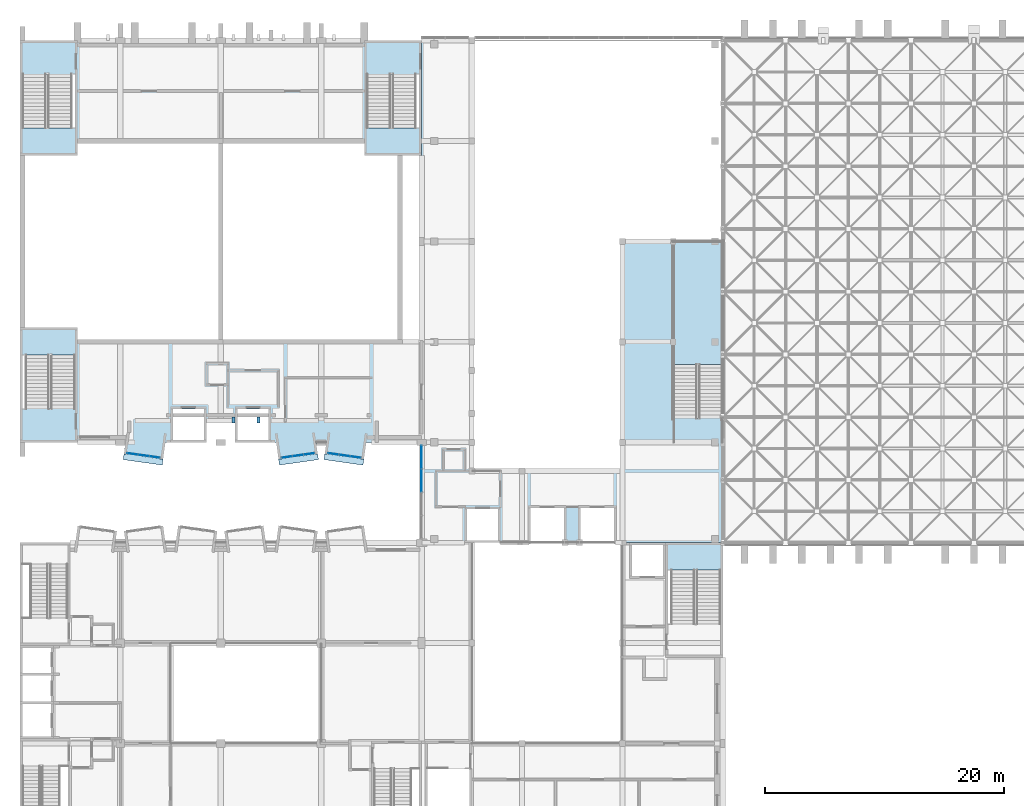
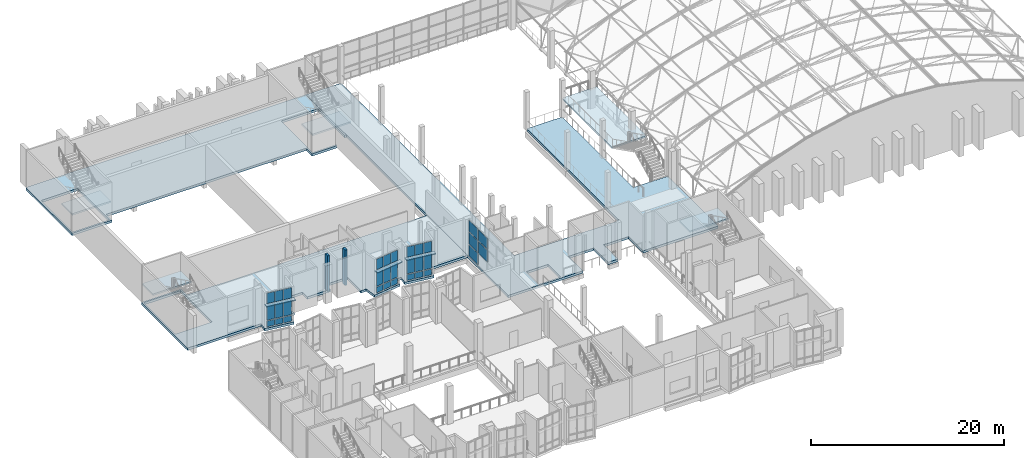
# One storey, part 52 of 100: 37 plates, 8 slabs, 9 elements without a shape of their own.
"""IFC4 building model written with IfcOpenShell, lengths in metres."""

from ifc_helpers import new_model, si_unit, direction, frame, origin, origin_2d, place, context, subcontext, project, spatial, polyline, rectangle, outline, extrude, material, layer, layer_set, type_object, element, aggregate, save


model = new_model("IFC4")

# Units and contexts
model_context = context("Model", 3, precision=1e-05, world=origin(), true_north=direction((0.0, 1.0)))
body_context = subcontext(model_context, "Body", "Model", "MODEL_VIEW")
ifc_project = project(units=[si_unit("LENGTHUNIT", "METRE"), si_unit("AREAUNIT", "SQUARE_METRE"), si_unit("VOLUMEUNIT", "CUBIC_METRE"), si_unit("PLANEANGLEUNIT", "RADIAN"), si_unit("MASSUNIT", "GRAM", prefix="KILO")], contexts=[model_context])

# Site, building, storey
site_placement = place(None, origin())
site = spatial("IfcSite", under=ifc_project, at=site_placement, CompositionType="ELEMENT")
building_placement = place(site_placement, origin())
building = spatial("IfcBuilding", under=site, at=building_placement, Name="Kiln Court Media Centre", CompositionType="ELEMENT")
storey_placement = place(building_placement, frame((0.0, 0.0, 15.0)))
storey = spatial("IfcBuildingStorey", under=building, at=storey_placement, Name="L03", CompositionType="ELEMENT", Elevation=15.0)

# Slabs
ifc_material_1 = material(Name="Concrete C30/37", Category="concrete")
ifc_layer_1 = layer(ifc_material_1, 0.300048828125)
ifc_layer_set_1 = layer_set([ifc_layer_1], Name="Concrete C30/37 floor slab 300")
slab_type_1 = type_object("IfcSlabType", Name="Concrete C30/37 floor slab 300", PredefinedType="FLOOR", material=ifc_layer_set_1)
slab_1_placement = place(storey_placement, frame((0.0, 0.0, -0.300048828125)))
element("IfcSlab", 1, at=slab_1_placement, inside=storey, type_object=slab_type_1, Name="L03-SL-1002", PredefinedType="FLOOR", context=body_context, shape_type="SweptSolid", body=[
    extrude(outline(polyline([(11.967041015625, 32.181396484375), (8.698974609375, 32.640869140625), (8.833251953125, 33.599609375), (0.0, 33.60009765625), (0.0, 43.199951171875), (4.800048828125, 43.199951171875), (4.800048828125, 42.0), (33.60009765625, 42.0), (33.60009765625, 33.60009765625), (28.966552734375, 33.599609375), (28.76708984375, 32.181640625), (25.498779296875, 32.640869140625), (25.63330078125, 33.599609375), (24.766845703125, 33.599609375), (24.901123046875, 32.640869140625), (21.6328125, 32.181640625), (21.433349609375, 33.599609375), (20.783203125, 33.599853515625), (20.783203125, 33.800048828125), (20.800048828125, 33.800048828125), (20.800048828125, 36.39990234375), (18.199951171875, 36.39990234375), (18.199951171875, 35.39990234375), (15.39990234375, 35.39990234375), (15.39990234375, 36.39990234375), (12.800048828125, 36.39990234375), (12.800048828125, 33.800048828125), (12.816650390625, 33.800048828125), (12.816650390625, 33.599853515625), (12.16650390625, 33.599609375), (11.967041015625, 32.181396484375)]), holes=[polyline([(0.199951171875, 36.43994140625), (4.60009765625, 36.43994140625), (4.60009765625, 43.0), (0.199951171875, 43.0), (0.199951171875, 36.43994140625)])]), origin(), (0.0, 0.0, 1.0), 0.300048828125),
])
slab_2_placement = place(storey_placement, frame((0.0, 0.0, -0.300048828125)))
element("IfcSlab", 2, at=slab_2_placement, inside=storey, type_object=slab_type_1, Name="L03-SL-1003", PredefinedType="FLOOR", context=body_context, shape_type="SweptSolid", body=[
    extrude(outline(polyline([(0.0, 57.60009765625), (0.0, 67.199951171875), (33.60009765625, 67.199951171875), (33.60009765625, 58.800048828125), (33.39990234375, 58.800048828125), (33.39990234375, 64.360107421875), (29.0, 64.360107421875), (29.0, 57.800048828125), (31.800048828125, 57.800048828125), (31.800048828125, 57.60009765625), (28.800048828125, 57.60009765625), (28.800048828125, 58.800048828125), (4.800048828125, 58.800048828125), (4.800048828125, 57.60009765625), (0.0, 57.60009765625)]), holes=[polyline([(0.199951171875, 57.800048828125), (4.60009765625, 57.800048828125), (4.60009765625, 64.360107421875), (0.199951171875, 64.360107421875), (0.199951171875, 57.800048828125)])]), origin(), (0.0, 0.0, 1.0), 0.300048828125),
])
slab_3_placement = place(storey_placement, frame((0.0, 0.0, -0.300048828125)))
element("IfcSlab", 3, at=slab_3_placement, inside=storey, type_object=slab_type_1, Name="L03-SL-1004", PredefinedType="FLOOR", context=body_context, shape_type="SweptSolid", body=[
    extrude(outline(polyline([(33.60009765625, 25.199951171875), (33.60009765625, 67.199951171875), (37.800048828125, 67.199951171875), (37.800048828125, 31.199951171875), (50.39990234375, 31.199951171875), (50.39990234375, 50.39990234375), (54.64990234375, 50.39990234375), (54.64990234375, 35.639892578125), (58.800048828125, 35.639892578125), (58.800048828125, 25.199951171875), (49.800048828125, 25.199951171875), (49.800048828125, 28.199951171875), (46.800048828125, 28.199951171875), (46.800048828125, 25.199951171875), (45.60009765625, 25.199951171875), (45.60009765625, 28.199951171875), (42.60009765625, 28.199951171875), (42.60009765625, 25.199951171875), (33.60009765625, 25.199951171875)]), holes=[polyline([(37.39990234375, 25.39990234375), (40.0, 25.39990234375), (40.0, 28.0), (37.39990234375, 28.0), (37.39990234375, 25.39990234375)])]), origin(), (0.0, 0.0, 1.0), 0.300048828125),
])

# Plates
ifc_material_2 = material(Name="Concrete C30/37", Category="concrete")
ifc_layer_2 = layer(ifc_material_2, 0.1201171875)
ifc_layer_set_2 = layer_set([ifc_layer_2], Name="Concrete C30/37 sunshade hood 120")
plate_type_1 = type_object("IfcPlateType", Name="Concrete C30/37 sunshade hood 120", PredefinedType="USERDEFINED", material=ifc_layer_set_2)
plate_1_placement = place(storey_placement, frame((0.0, 0.0, 3.0)))
element("IfcPlate", 4, at=plate_1_placement, inside=storey, type_object=plate_type_1, Name="SUNSHADE V4-S-L03-17", ObjectType="SUNSHADE", PredefinedType="USERDEFINED", context=body_context, shape_type="SweptSolid", body=[
    extrude(outline(polyline([(8.698974609375, 32.641357421875), (11.966796875, 32.181884765625), (11.897216796875, 31.68701171875), (8.62939453125, 32.146240234375), (8.698974609375, 32.641357421875)])), origin(), (0.0, 0.0, 1.0), 0.1201171875),
])
plate_2_placement = place(storey_placement, frame((0.0, 0.0, 3.0)))
element("IfcPlate", 5, at=plate_2_placement, inside=storey, type_object=plate_type_1, Name="SUNSHADE V4-S-L03-20", ObjectType="SUNSHADE", PredefinedType="USERDEFINED", context=body_context, shape_type="SweptSolid", body=[
    extrude(outline(polyline([(21.633056640625, 32.181884765625), (24.90087890625, 32.641357421875), (24.970458984375, 32.146240234375), (21.70263671875, 31.68701171875), (21.633056640625, 32.181884765625)])), origin(), (0.0, 0.0, 1.0), 0.1201171875),
])
plate_3_placement = place(storey_placement, frame((0.0, 0.0, 3.0)))
element("IfcPlate", 6, at=plate_3_placement, inside=storey, type_object=plate_type_1, Name="SUNSHADE V4-S-L03-21", ObjectType="SUNSHADE", PredefinedType="USERDEFINED", context=body_context, shape_type="SweptSolid", body=[
    extrude(outline(polyline([(25.4990234375, 32.641357421875), (28.766845703125, 32.181884765625), (28.697265625, 31.68701171875), (25.429443359375, 32.146240234375), (25.4990234375, 32.641357421875)])), origin(), (0.0, 0.0, 1.0), 0.1201171875),
])
ifc_material_3 = material(Name="Concrete C40/50", Category="concrete")
ifc_layer_3 = layer(ifc_material_3, 0.25)
ifc_layer_set_3 = layer_set([ifc_layer_3], Name="Concrete C40/50 shading fin 250")
plate_type_2 = type_object("IfcPlateType", Name="Concrete C40/50 shading fin 250", PredefinedType="SHEET", material=ifc_layer_set_3)
for number, where, z_axis, x_axis, name in (
    (7, (17.85009765625, 35.449951171875, 0.0), (0.0, 0.0, 1.0), (1.0, 0.0, 0.0), "V4 S fin L03"),
    (8, (19.949951171875, 35.449951171875, 0.0), (0.0, 0.0, 1.0), (1.0, 0.0, 0.0), "V4 S fin L03"),
):
    element("IfcPlate", number, at=place(storey_placement, frame(where, z_axis=z_axis, x_axis=x_axis)), inside=storey, type_object=plate_type_2, Name=name, PredefinedType="SHEET", context=body_context, shape_type="SweptSolid", body=[
        extrude(rectangle(XDim=0.25, YDim=0.5, at=origin_2d()), origin(), (0.0, 0.0, 1.0), 4.5),
    ])

# Stair, slab
ifc_material_4 = material(Name="Concrete C40/50", Category="concrete")
stair_type = type_object("IfcStairType", Name="Concrete C40/50 dog-leg stair 2000 wide, 150 riser", PredefinedType="HALF_TURN_STAIR", material=ifc_material_4)
stair_1_placement = place(storey_placement, origin())
stair_1 = element("IfcStair", 9, at=stair_1_placement, inside=storey, type_object=stair_type, Name="ST-05 L03", PredefinedType="HALF_TURN_STAIR")
ifc_material_5 = material(Name="Concrete C40/50", Category="concrete")
ifc_layer_4 = layer(ifc_material_5, 0.199951171875)
ifc_layer_set_4 = layer_set([ifc_layer_4], Name="Concrete C40/50 stair landing 200")
slab_type_2 = type_object("IfcSlabType", Name="Concrete C40/50 stair landing 200", PredefinedType="LANDING", material=ifc_layer_set_4)
slab_4_placement = place(storey_placement, frame((0.0, 0.0, 2.199951171875)))
slab_4 = element("IfcSlab", 10, at=slab_4_placement, type_object=slab_type_2, Name="L03-ST-5003 landing 5003", PredefinedType="LANDING", context=body_context, shape_type="SweptSolid", body=[
    extrude(outline(polyline([(58.719970703125, 22.89990234375), (58.719970703125, 25.1201171875), (54.080078125, 25.1201171875), (54.080078125, 22.89990234375), (58.719970703125, 22.89990234375)])), origin(), (0.0, 0.0, 1.0), 0.199951171875),
])
aggregate(stair_1, [slab_4])

stair_2_placement = place(storey_placement, origin())
stair_2 = element("IfcStair", 11, at=stair_2_placement, inside=storey, type_object=stair_type, Name="ST-06 L03", PredefinedType="HALF_TURN_STAIR")
slab_5_placement = place(storey_placement, frame((0.0, 0.0, 2.199951171875)))
slab_5 = element("IfcSlab", 12, at=slab_5_placement, type_object=slab_type_2, Name="L03-ST-5004 landing 5004", PredefinedType="LANDING", context=body_context, shape_type="SweptSolid", body=[
    extrude(outline(polyline([(4.719970703125, 40.89990234375), (4.719970703125, 43.1201171875), (0.080078125, 43.1201171875), (0.080078125, 40.89990234375), (4.719970703125, 40.89990234375)])), origin(), (0.0, 0.0, 1.0), 0.199951171875),
])
aggregate(stair_2, [slab_5])

stair_3_placement = place(storey_placement, origin())
stair_3 = element("IfcStair", 13, at=stair_3_placement, inside=storey, type_object=stair_type, Name="ST-07 L03", PredefinedType="HALF_TURN_STAIR")
slab_6_placement = place(storey_placement, frame((0.0, 0.0, 2.199951171875)))
slab_6 = element("IfcSlab", 14, at=slab_6_placement, type_object=slab_type_2, Name="L03-ST-5005 landing 5005", PredefinedType="LANDING", context=body_context, shape_type="SweptSolid", body=[
    extrude(outline(polyline([(0.080078125, 59.89990234375), (0.080078125, 57.679931640625), (4.719970703125, 57.679931640625), (4.719970703125, 59.89990234375), (0.080078125, 59.89990234375)])), origin(), (0.0, 0.0, 1.0), 0.199951171875),
])
aggregate(stair_3, [slab_6])

stair_4_placement = place(storey_placement, origin())
stair_4 = element("IfcStair", 15, at=stair_4_placement, inside=storey, type_object=stair_type, Name="ST-08 L03", PredefinedType="HALF_TURN_STAIR")
slab_7_placement = place(storey_placement, frame((0.0, 0.0, 2.199951171875)))
slab_7 = element("IfcSlab", 16, at=slab_7_placement, type_object=slab_type_2, Name="L03-ST-5006 landing 5006", PredefinedType="LANDING", context=body_context, shape_type="SweptSolid", body=[
    extrude(outline(polyline([(28.8798828125, 59.89990234375), (28.8798828125, 57.679931640625), (33.52001953125, 57.679931640625), (33.52001953125, 59.89990234375), (28.8798828125, 59.89990234375)])), origin(), (0.0, 0.0, 1.0), 0.199951171875),
])
aggregate(stair_4, [slab_7])

stair_5_placement = place(storey_placement, origin())
stair_5 = element("IfcStair", 17, at=stair_5_placement, inside=storey, type_object=stair_type, Name="ST-F1 L03", PredefinedType="HALF_TURN_STAIR")
slab_8_placement = place(storey_placement, frame((0.0, 0.0, 2.199951171875)))
slab_8 = element("IfcSlab", 18, at=slab_8_placement, type_object=slab_type_2, Name="L03-ST-5009 landing 5009", PredefinedType="LANDING", context=body_context, shape_type="SweptSolid", body=[
    extrude(outline(polyline([(58.800048828125, 40.10009765625), (58.800048828125, 50.39990234375), (54.64990234375, 50.39990234375), (54.64990234375, 40.10009765625), (58.800048828125, 40.10009765625)])), origin(), (0.0, 0.0, 1.0), 0.199951171875),
])
aggregate(stair_5, [slab_8])

# Curtain wall, plates
ifc_material_6 = material(Name="Aluminium 6063-T6", Category="aluminium")
ifc_layer_5 = layer(ifc_material_6, 0.1201171875)
ifc_layer_set_5 = layer_set([ifc_layer_5], Name="Aluminium unitised bay curtain wall")
curtain_wall_type_1 = type_object("IfcCurtainWallType", Name="Aluminium unitised bay curtain wall", PredefinedType="USERDEFINED", material=ifc_layer_set_5)
curtain_wall_1_placement = place(storey_placement, origin())
curtain_wall_1 = element("IfcCurtainWall", 19, at=curtain_wall_1_placement, inside=storey, type_object=curtain_wall_type_1, Name="BAY V4-S-L03-17 front", ObjectType="UNITISED CURTAIN WALL", PredefinedType="USERDEFINED")
ifc_material_7 = material(Name="Aluminium insulated spandrel", Category="aluminium")
ifc_layer_6 = layer(ifc_material_7, 0.028076171875)
ifc_layer_set_6 = layer_set([ifc_layer_6], Name="Insulated spandrel panel 28")
plate_type_3 = type_object("IfcPlateType", Name="Insulated spandrel panel 28", PredefinedType="CURTAIN_PANEL", material=ifc_layer_set_6)
plate_4_placement = place(storey_placement, frame((9.41162109375, 32.621826171875, 0.1201171875), z_axis=(0.0, 0.0, 1.0), x_axis=(0.990269562409, -0.139162472554, 0.0)))
plate_4 = element("IfcPlate", 20, at=plate_4_placement, type_object=plate_type_3, Name="CW3-01 panel 1.1", PredefinedType="CURTAIN_PANEL", context=body_context, shape_type="SweptSolid", body=[
    extrude(rectangle(XDim=0.86669921875, YDim=0.028076171875, at=origin_2d()), origin(), (0.0, 0.0, 1.0), 0.719970703125),
])
plate_5_placement = place(storey_placement, frame((10.34423828125, 32.490966796875, 0.1201171875), z_axis=(0.0, 0.0, 1.0), x_axis=(0.990269562409, -0.139162472554, 0.0)))
plate_5 = element("IfcPlate", 21, at=plate_5_placement, type_object=plate_type_3, Name="CW3-01 panel 2.1", PredefinedType="CURTAIN_PANEL", context=body_context, shape_type="SweptSolid", body=[
    extrude(rectangle(XDim=0.896728515625, YDim=0.028076171875, at=origin_2d()), origin(), (0.0, 0.0, 1.0), 0.719970703125),
])
plate_6_placement = place(storey_placement, frame((11.276611328125, 32.35986328125, 0.1201171875), z_axis=(0.0, 0.0, 1.0), x_axis=(0.990269562409, -0.139162472554, 0.0)))
plate_6 = element("IfcPlate", 22, at=plate_6_placement, type_object=plate_type_3, Name="CW3-01 panel 3.1", PredefinedType="CURTAIN_PANEL", context=body_context, shape_type="SweptSolid", body=[
    extrude(rectangle(XDim=0.86669921875, YDim=0.028076171875, at=origin_2d()), origin(), (0.0, 0.0, 1.0), 0.719970703125),
])

curtain_wall_2_placement = place(storey_placement, origin())
curtain_wall_2 = element("IfcCurtainWall", 23, at=curtain_wall_2_placement, inside=storey, type_object=curtain_wall_type_1, Name="BAY V4-S-L03-20 front", ObjectType="UNITISED CURTAIN WALL", PredefinedType="USERDEFINED")
plate_7_placement = place(storey_placement, frame((22.3232421875, 32.35986328125, 0.1201171875), z_axis=(0.0, 0.0, 1.0), x_axis=(0.990269562409, 0.139162472554, 0.0)))
plate_7 = element("IfcPlate", 24, at=plate_7_placement, type_object=plate_type_3, Name="CW3-02 panel 1.1", PredefinedType="CURTAIN_PANEL", context=body_context, shape_type="SweptSolid", body=[
    extrude(rectangle(XDim=0.86669921875, YDim=0.028076171875, at=origin_2d()), origin(), (0.0, 0.0, 1.0), 0.719970703125),
])
plate_8_placement = place(storey_placement, frame((23.255859375, 32.490966796875, 0.1201171875), z_axis=(0.0, 0.0, 1.0), x_axis=(0.990269562409, 0.139162472554, 0.0)))
plate_8 = element("IfcPlate", 25, at=plate_8_placement, type_object=plate_type_3, Name="CW3-02 panel 2.1", PredefinedType="CURTAIN_PANEL", context=body_context, shape_type="SweptSolid", body=[
    extrude(rectangle(XDim=0.896728515625, YDim=0.028076171875, at=origin_2d()), origin(), (0.0, 0.0, 1.0), 0.719970703125),
])
plate_9_placement = place(storey_placement, frame((24.1884765625, 32.621826171875, 0.1201171875), z_axis=(0.0, 0.0, 1.0), x_axis=(0.990269562409, 0.139162472554, 0.0)))
plate_9 = element("IfcPlate", 26, at=plate_9_placement, type_object=plate_type_3, Name="CW3-02 panel 3.1", PredefinedType="CURTAIN_PANEL", context=body_context, shape_type="SweptSolid", body=[
    extrude(rectangle(XDim=0.86669921875, YDim=0.028076171875, at=origin_2d()), origin(), (0.0, 0.0, 1.0), 0.719970703125),
])

curtain_wall_3_placement = place(storey_placement, origin())
curtain_wall_3 = element("IfcCurtainWall", 27, at=curtain_wall_3_placement, inside=storey, type_object=curtain_wall_type_1, Name="BAY V4-S-L03-21 front", ObjectType="UNITISED CURTAIN WALL", PredefinedType="USERDEFINED")
plate_10_placement = place(storey_placement, frame((26.211669921875, 32.621826171875, 0.1201171875), z_axis=(0.0, 0.0, 1.0), x_axis=(0.990269562409, -0.139162472554, 0.0)))
plate_10 = element("IfcPlate", 28, at=plate_10_placement, type_object=plate_type_3, Name="CW3-03 panel 1.1", PredefinedType="CURTAIN_PANEL", context=body_context, shape_type="SweptSolid", body=[
    extrude(rectangle(XDim=0.86669921875, YDim=0.028076171875, at=origin_2d()), origin(), (0.0, 0.0, 1.0), 0.719970703125),
])
plate_11_placement = place(storey_placement, frame((27.14404296875, 32.490966796875, 0.1201171875), z_axis=(0.0, 0.0, 1.0), x_axis=(0.990269562409, -0.139162472554, 0.0)))
plate_11 = element("IfcPlate", 29, at=plate_11_placement, type_object=plate_type_3, Name="CW3-03 panel 2.1", PredefinedType="CURTAIN_PANEL", context=body_context, shape_type="SweptSolid", body=[
    extrude(rectangle(XDim=0.896728515625, YDim=0.028076171875, at=origin_2d()), origin(), (0.0, 0.0, 1.0), 0.719970703125),
])
plate_12_placement = place(storey_placement, frame((28.07666015625, 32.35986328125, 0.1201171875), z_axis=(0.0, 0.0, 1.0), x_axis=(0.990269562409, -0.139162472554, 0.0)))
plate_12 = element("IfcPlate", 30, at=plate_12_placement, type_object=plate_type_3, Name="CW3-03 panel 3.1", PredefinedType="CURTAIN_PANEL", context=body_context, shape_type="SweptSolid", body=[
    extrude(rectangle(XDim=0.86669921875, YDim=0.028076171875, at=origin_2d()), origin(), (0.0, 0.0, 1.0), 0.719970703125),
])

ifc_material_8 = material(Name="Aluminium 6063-T6", Category="aluminium")
ifc_layer_7 = layer(ifc_material_8, 0.1201171875)
ifc_layer_set_7 = layer_set([ifc_layer_7], Name="Aluminium stick curtain wall, gallery")
curtain_wall_type_2 = type_object("IfcCurtainWallType", Name="Aluminium stick curtain wall, gallery", PredefinedType="USERDEFINED", material=ifc_layer_set_7)
curtain_wall_4_placement = place(storey_placement, origin())
curtain_wall_4 = element("IfcCurtainWall", 31, at=curtain_wall_4_placement, inside=storey, type_object=curtain_wall_type_2, Name="Foyer west glazing L03", ObjectType="STICK CURTAIN WALL", PredefinedType="USERDEFINED")
ifc_material_9 = material(Name="Laminated low-E glazing", Category="glass")
ifc_layer_8 = layer(ifc_material_9, 0.033935546875)
ifc_layer_set_8 = layer_set([ifc_layer_8], Name="Laminated low-E glazed panel 34")
plate_type_4 = type_object("IfcPlateType", Name="Laminated low-E glazed panel 34", PredefinedType="CURTAIN_PANEL", material=ifc_layer_set_8)
plate_13_placement = place(storey_placement, frame((33.60009765625, 30.40625, 1.669921875), z_axis=(0.0, 0.0, 1.0), x_axis=(0.0, 1.0, 0.0)))
plate_13 = element("IfcPlate", 32, at=plate_13_placement, type_object=plate_type_4, Name="CW3-62 panel 3.2", PredefinedType="CURTAIN_PANEL", context=body_context, shape_type="SweptSolid", body=[
    extrude(rectangle(XDim=1.902587890625, YDim=0.033935546875, at=origin_2d()), origin(), (0.0, 0.0, 1.0), 1.4599609375),
])
plate_14_placement = place(storey_placement, frame((33.60009765625, 30.40625, 3.27001953125), z_axis=(0.0, 0.0, 1.0), x_axis=(0.0, 1.0, 0.0)))
plate_14 = element("IfcPlate", 33, at=plate_14_placement, type_object=plate_type_4, Name="CW3-62 panel 3.3", PredefinedType="CURTAIN_PANEL", context=body_context, shape_type="SweptSolid", body=[
    extrude(rectangle(XDim=1.902587890625, YDim=0.033935546875, at=origin_2d()), origin(), (0.0, 0.0, 1.0), 1.389892578125),
])
plate_15_placement = place(storey_placement, frame((33.60009765625, 32.353759765625, 0.14013671875), z_axis=(0.0, 0.0, 1.0), x_axis=(0.0, 1.0, 0.0)))
plate_15 = element("IfcPlate", 34, at=plate_15_placement, type_object=plate_type_4, Name="CW3-62 panel 4.1", PredefinedType="CURTAIN_PANEL", context=body_context, shape_type="SweptSolid", body=[
    extrude(rectangle(XDim=1.87255859375, YDim=0.033935546875, at=origin_2d()), origin(), (0.0, 0.0, 1.0), 1.389892578125),
])
plate_16_placement = place(storey_placement, frame((33.60009765625, 32.353759765625, 1.669921875), z_axis=(0.0, 0.0, 1.0), x_axis=(0.0, 1.0, 0.0)))
plate_16 = element("IfcPlate", 35, at=plate_16_placement, type_object=plate_type_4, Name="CW3-62 panel 4.2", PredefinedType="CURTAIN_PANEL", context=body_context, shape_type="SweptSolid", body=[
    extrude(rectangle(XDim=1.87255859375, YDim=0.033935546875, at=origin_2d()), origin(), (0.0, 0.0, 1.0), 1.4599609375),
])
plate_17_placement = place(storey_placement, frame((33.60009765625, 32.353759765625, 3.27001953125), z_axis=(0.0, 0.0, 1.0), x_axis=(0.0, 1.0, 0.0)))
plate_17 = element("IfcPlate", 36, at=plate_17_placement, type_object=plate_type_4, Name="CW3-62 panel 4.3", PredefinedType="CURTAIN_PANEL", context=body_context, shape_type="SweptSolid", body=[
    extrude(rectangle(XDim=1.87255859375, YDim=0.033935546875, at=origin_2d()), origin(), (0.0, 0.0, 1.0), 1.389892578125),
])
aggregate(curtain_wall_4, [plate_13, plate_14, plate_15, plate_16, plate_17])

# Plate
ifc_material_10 = material(Name="Low-E double glazing", Category="glass")
ifc_layer_9 = layer(ifc_material_10, 0.028076171875)
ifc_layer_set_9 = layer_set([ifc_layer_9], Name="Low-E double glazed panel 28")
plate_type_5 = type_object("IfcPlateType", Name="Low-E double glazed panel 28", PredefinedType="CURTAIN_PANEL", material=ifc_layer_set_9)
plate_18_placement = place(storey_placement, frame((9.41162109375, 32.621826171875, 0.9599609375), z_axis=(0.0, 0.0, 1.0), x_axis=(0.990269562409, -0.139162472554, 0.0)))
plate_18 = element("IfcPlate", 37, at=plate_18_placement, type_object=plate_type_5, Name="CW3-01 panel 1.2", PredefinedType="CURTAIN_PANEL", context=body_context, shape_type="SweptSolid", body=[
    extrude(rectangle(XDim=0.86669921875, YDim=0.028076171875, at=origin_2d()), origin(), (0.0, 0.0, 1.0), 1.97998046875),
])

plate_19_placement = place(storey_placement, frame((9.41162109375, 32.621826171875, 3.06005859375), z_axis=(0.0, 0.0, 1.0), x_axis=(0.990269562409, -0.139162472554, 0.0)))
plate_19 = element("IfcPlate", 38, at=plate_19_placement, type_object=plate_type_5, Name="CW3-01 panel 1.3", PredefinedType="CURTAIN_PANEL", context=body_context, shape_type="SweptSolid", body=[
    extrude(rectangle(XDim=0.86669921875, YDim=0.028076171875, at=origin_2d()), origin(), (0.0, 0.0, 1.0), 1.320068359375),
])

plate_20_placement = place(storey_placement, frame((10.34423828125, 32.490966796875, 0.9599609375), z_axis=(0.0, 0.0, 1.0), x_axis=(0.990269562409, -0.139162472554, 0.0)))
plate_20 = element("IfcPlate", 39, at=plate_20_placement, type_object=plate_type_5, Name="CW3-01 panel 2.2", PredefinedType="CURTAIN_PANEL", context=body_context, shape_type="SweptSolid", body=[
    extrude(rectangle(XDim=0.896728515625, YDim=0.028076171875, at=origin_2d()), origin(), (0.0, 0.0, 1.0), 1.97998046875),
])

plate_21_placement = place(storey_placement, frame((10.34423828125, 32.490966796875, 3.06005859375), z_axis=(0.0, 0.0, 1.0), x_axis=(0.990269562409, -0.139162472554, 0.0)))
plate_21 = element("IfcPlate", 40, at=plate_21_placement, type_object=plate_type_5, Name="CW3-01 panel 2.3", PredefinedType="CURTAIN_PANEL", context=body_context, shape_type="SweptSolid", body=[
    extrude(rectangle(XDim=0.896728515625, YDim=0.028076171875, at=origin_2d()), origin(), (0.0, 0.0, 1.0), 1.320068359375),
])

plate_22_placement = place(storey_placement, frame((11.276611328125, 32.35986328125, 0.9599609375), z_axis=(0.0, 0.0, 1.0), x_axis=(0.990269562409, -0.139162472554, 0.0)))
plate_22 = element("IfcPlate", 41, at=plate_22_placement, type_object=plate_type_5, Name="CW3-01 panel 3.2", PredefinedType="CURTAIN_PANEL", context=body_context, shape_type="SweptSolid", body=[
    extrude(rectangle(XDim=0.86669921875, YDim=0.028076171875, at=origin_2d()), origin(), (0.0, 0.0, 1.0), 1.97998046875),
])

plate_23_placement = place(storey_placement, frame((11.276611328125, 32.35986328125, 3.06005859375), z_axis=(0.0, 0.0, 1.0), x_axis=(0.990269562409, -0.139162472554, 0.0)))
plate_23 = element("IfcPlate", 42, at=plate_23_placement, type_object=plate_type_5, Name="CW3-01 panel 3.3", PredefinedType="CURTAIN_PANEL", context=body_context, shape_type="SweptSolid", body=[
    extrude(rectangle(XDim=0.86669921875, YDim=0.028076171875, at=origin_2d()), origin(), (0.0, 0.0, 1.0), 1.320068359375),
])

aggregate(curtain_wall_1, [plate_4, plate_18, plate_19, plate_5, plate_20, plate_21, plate_6, plate_22, plate_23])

plate_24_placement = place(storey_placement, frame((22.3232421875, 32.35986328125, 0.9599609375), z_axis=(0.0, 0.0, 1.0), x_axis=(0.990269562409, 0.139162472554, 0.0)))
plate_24 = element("IfcPlate", 43, at=plate_24_placement, type_object=plate_type_5, Name="CW3-02 panel 1.2", PredefinedType="CURTAIN_PANEL", context=body_context, shape_type="SweptSolid", body=[
    extrude(rectangle(XDim=0.86669921875, YDim=0.028076171875, at=origin_2d()), origin(), (0.0, 0.0, 1.0), 1.97998046875),
])

plate_25_placement = place(storey_placement, frame((22.3232421875, 32.35986328125, 3.06005859375), z_axis=(0.0, 0.0, 1.0), x_axis=(0.990269562409, 0.139162472554, 0.0)))
plate_25 = element("IfcPlate", 44, at=plate_25_placement, type_object=plate_type_5, Name="CW3-02 panel 1.3", PredefinedType="CURTAIN_PANEL", context=body_context, shape_type="SweptSolid", body=[
    extrude(rectangle(XDim=0.86669921875, YDim=0.028076171875, at=origin_2d()), origin(), (0.0, 0.0, 1.0), 1.320068359375),
])

plate_26_placement = place(storey_placement, frame((23.255859375, 32.490966796875, 0.9599609375), z_axis=(0.0, 0.0, 1.0), x_axis=(0.990269562409, 0.139162472554, 0.0)))
plate_26 = element("IfcPlate", 45, at=plate_26_placement, type_object=plate_type_5, Name="CW3-02 panel 2.2", PredefinedType="CURTAIN_PANEL", context=body_context, shape_type="SweptSolid", body=[
    extrude(rectangle(XDim=0.896728515625, YDim=0.028076171875, at=origin_2d()), origin(), (0.0, 0.0, 1.0), 1.97998046875),
])

plate_27_placement = place(storey_placement, frame((23.255859375, 32.490966796875, 3.06005859375), z_axis=(0.0, 0.0, 1.0), x_axis=(0.990269562409, 0.139162472554, 0.0)))
plate_27 = element("IfcPlate", 46, at=plate_27_placement, type_object=plate_type_5, Name="CW3-02 panel 2.3", PredefinedType="CURTAIN_PANEL", context=body_context, shape_type="SweptSolid", body=[
    extrude(rectangle(XDim=0.896728515625, YDim=0.028076171875, at=origin_2d()), origin(), (0.0, 0.0, 1.0), 1.320068359375),
])

plate_28_placement = place(storey_placement, frame((24.1884765625, 32.621826171875, 0.9599609375), z_axis=(0.0, 0.0, 1.0), x_axis=(0.990269562409, 0.139162472554, 0.0)))
plate_28 = element("IfcPlate", 47, at=plate_28_placement, type_object=plate_type_5, Name="CW3-02 panel 3.2", PredefinedType="CURTAIN_PANEL", context=body_context, shape_type="SweptSolid", body=[
    extrude(rectangle(XDim=0.86669921875, YDim=0.028076171875, at=origin_2d()), origin(), (0.0, 0.0, 1.0), 1.97998046875),
])

plate_29_placement = place(storey_placement, frame((24.1884765625, 32.621826171875, 3.06005859375), z_axis=(0.0, 0.0, 1.0), x_axis=(0.990269562409, 0.139162472554, 0.0)))
plate_29 = element("IfcPlate", 48, at=plate_29_placement, type_object=plate_type_5, Name="CW3-02 panel 3.3", PredefinedType="CURTAIN_PANEL", context=body_context, shape_type="SweptSolid", body=[
    extrude(rectangle(XDim=0.86669921875, YDim=0.028076171875, at=origin_2d()), origin(), (0.0, 0.0, 1.0), 1.320068359375),
])

aggregate(curtain_wall_2, [plate_7, plate_24, plate_25, plate_8, plate_26, plate_27, plate_9, plate_28, plate_29])

plate_30_placement = place(storey_placement, frame((26.211669921875, 32.621826171875, 0.9599609375), z_axis=(0.0, 0.0, 1.0), x_axis=(0.990269562409, -0.139162472554, 0.0)))
plate_30 = element("IfcPlate", 49, at=plate_30_placement, type_object=plate_type_5, Name="CW3-03 panel 1.2", PredefinedType="CURTAIN_PANEL", context=body_context, shape_type="SweptSolid", body=[
    extrude(rectangle(XDim=0.86669921875, YDim=0.028076171875, at=origin_2d()), origin(), (0.0, 0.0, 1.0), 1.97998046875),
])

plate_31_placement = place(storey_placement, frame((26.211669921875, 32.621826171875, 3.06005859375), z_axis=(0.0, 0.0, 1.0), x_axis=(0.990269562409, -0.139162472554, 0.0)))
plate_31 = element("IfcPlate", 50, at=plate_31_placement, type_object=plate_type_5, Name="CW3-03 panel 1.3", PredefinedType="CURTAIN_PANEL", context=body_context, shape_type="SweptSolid", body=[
    extrude(rectangle(XDim=0.86669921875, YDim=0.028076171875, at=origin_2d()), origin(), (0.0, 0.0, 1.0), 1.320068359375),
])

plate_32_placement = place(storey_placement, frame((27.14404296875, 32.490966796875, 0.9599609375), z_axis=(0.0, 0.0, 1.0), x_axis=(0.990269562409, -0.139162472554, 0.0)))
plate_32 = element("IfcPlate", 51, at=plate_32_placement, type_object=plate_type_5, Name="CW3-03 panel 2.2", PredefinedType="CURTAIN_PANEL", context=body_context, shape_type="SweptSolid", body=[
    extrude(rectangle(XDim=0.896728515625, YDim=0.028076171875, at=origin_2d()), origin(), (0.0, 0.0, 1.0), 1.97998046875),
])

plate_33_placement = place(storey_placement, frame((27.14404296875, 32.490966796875, 3.06005859375), z_axis=(0.0, 0.0, 1.0), x_axis=(0.990269562409, -0.139162472554, 0.0)))
plate_33 = element("IfcPlate", 52, at=plate_33_placement, type_object=plate_type_5, Name="CW3-03 panel 2.3", PredefinedType="CURTAIN_PANEL", context=body_context, shape_type="SweptSolid", body=[
    extrude(rectangle(XDim=0.896728515625, YDim=0.028076171875, at=origin_2d()), origin(), (0.0, 0.0, 1.0), 1.320068359375),
])

plate_34_placement = place(storey_placement, frame((28.07666015625, 32.35986328125, 0.9599609375), z_axis=(0.0, 0.0, 1.0), x_axis=(0.990269562409, -0.139162472554, 0.0)))
plate_34 = element("IfcPlate", 53, at=plate_34_placement, type_object=plate_type_5, Name="CW3-03 panel 3.2", PredefinedType="CURTAIN_PANEL", context=body_context, shape_type="SweptSolid", body=[
    extrude(rectangle(XDim=0.86669921875, YDim=0.028076171875, at=origin_2d()), origin(), (0.0, 0.0, 1.0), 1.97998046875),
])

plate_35_placement = place(storey_placement, frame((28.07666015625, 32.35986328125, 3.06005859375), z_axis=(0.0, 0.0, 1.0), x_axis=(0.990269562409, -0.139162472554, 0.0)))
plate_35 = element("IfcPlate", 54, at=plate_35_placement, type_object=plate_type_5, Name="CW3-03 panel 3.3", PredefinedType="CURTAIN_PANEL", context=body_context, shape_type="SweptSolid", body=[
    extrude(rectangle(XDim=0.86669921875, YDim=0.028076171875, at=origin_2d()), origin(), (0.0, 0.0, 1.0), 1.320068359375),
])

aggregate(curtain_wall_3, [plate_10, plate_30, plate_31, plate_11, plate_32, plate_33, plate_12, plate_34, plate_35])

save(model, "model.ifc")
